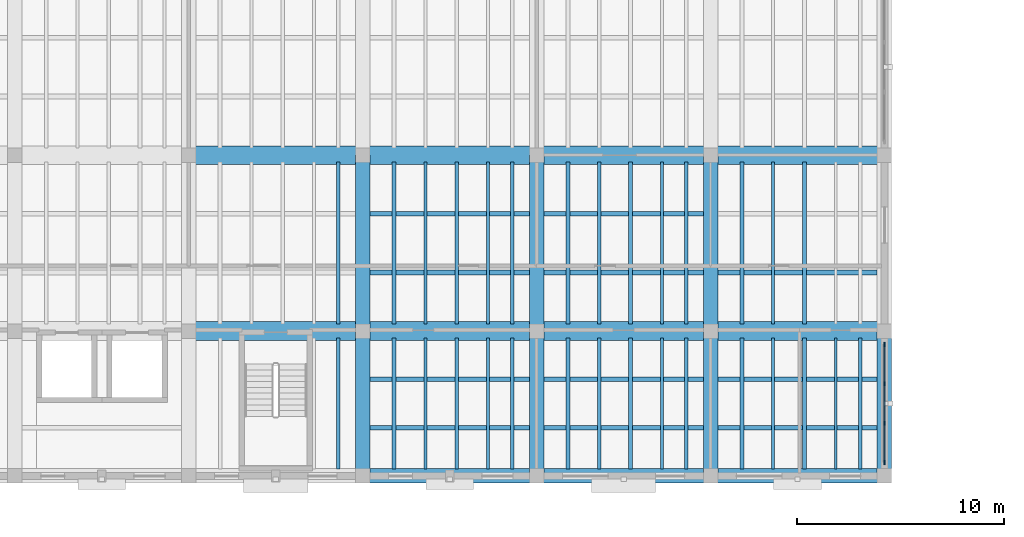
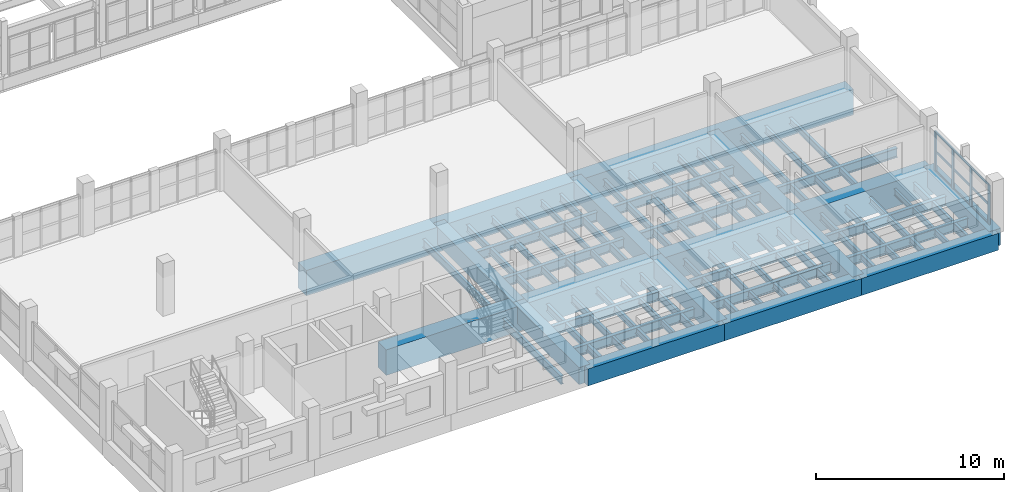
# One storey, part 39 of 77: 55 beams, 7 members, 1 element without a shape of its own.
"""IFC4 building model written with IfcOpenShell, lengths in metres."""

import ifcopenshell
import ifcopenshell.guid

model = None  # the IFC model being written
_history = None  # IfcOwnerHistory: only IFC2X3 demands one
_inside = {}  # id of a spatial element -> (the spatial element, [elements in it])
_under = {}  # id of a project, library or spatial element -> (it, [spatial elements below it])
_declared = {}  # id of a project -> (the project, [libraries it declares])
_typed = {}  # id of a type object -> (the type object, [elements of that type])
_made_of = {}  # id of a material, layer set ... -> (it, [elements and type objects made of it])


def new_model(schema):
    """Start an empty IFC model of exactly this schema.

    Asked for "IFC4X3", IfcOpenShell would pick the latest addendum, in which some entities
    have other attributes; the version numbers below select the first issue.
    IFC2X3 requires an IfcOwnerHistory on every rooted entity: one is made here for all.
    """
    global model, _history
    if schema == "IFC4X3":
        model = ifcopenshell.file(schema_version=(4, 3, 0, 0))
    else:
        model = ifcopenshell.file(schema=schema)
    _inside.clear()
    _under.clear()
    _declared.clear()
    _typed.clear()
    _made_of.clear()
    _history = None
    if model.schema == "IFC2X3":
        org = make("IfcOrganization", Name="unknown")
        user = make(
            "IfcPersonAndOrganization",
            ThePerson=make("IfcPerson", FamilyName="unknown"),
            TheOrganization=org,
        )
        app = make(
            "IfcApplication",
            ApplicationDeveloper=org,
            Version="unknown",
            ApplicationFullName="unknown",
            ApplicationIdentifier="unknown",
        )
        _history = make(
            "IfcOwnerHistory",
            OwningUser=user,
            OwningApplication=app,
            ChangeAction="ADDED",
            CreationDate=0,
        )
    return model


def make(cls, **values):
    """One entity of the class cls with the attributes given. An attribute that is None is left unset."""
    return model.create_entity(
        cls, **{name: value for name, value in values.items() if value is not None}
    )


def rooted(cls, **values):
    """An entity with a GlobalId (a new one), such as an element, a storey or a relation."""
    return make(cls, GlobalId=ifcopenshell.guid.new(), OwnerHistory=_history, **values)


def si_unit(unit_type, name, prefix=None):
    """IfcSIUnit, for example si_unit("LENGTHUNIT", "METRE", prefix="MILLI")."""
    return make("IfcSIUnit", UnitType=unit_type, Prefix=prefix, Name=name)


def assignment(units):
    """IfcUnitAssignment: the units of a project."""
    return None if units is None else make("IfcUnitAssignment", Units=units)


def point(xyz):
    """IfcCartesianPoint."""
    return None if xyz is None else make("IfcCartesianPoint", Coordinates=xyz)


def direction(xyz):
    """IfcDirection."""
    return None if xyz is None else make("IfcDirection", DirectionRatios=xyz)


def frame(location, z_axis=None, x_axis=None):
    """IfcAxis2Placement3D, a coordinate frame: its origin and axes. An axis left out is left unset."""
    return make(
        "IfcAxis2Placement3D",
        Location=point(location),
        Axis=direction(z_axis),
        RefDirection=direction(x_axis),
    )


def frame_2d(location, x_axis=None):
    """IfcAxis2Placement2D, a coordinate frame in the plane: its origin and x axis."""
    return make(
        "IfcAxis2Placement2D", Location=point(location), RefDirection=direction(x_axis)
    )


def origin():
    """The frame at (0, 0, 0) with its axes left unset."""
    return frame((0.0, 0.0, 0.0))


def origin_2d():
    """The frame at (0, 0) in the plane with its x axis left unset."""
    return frame_2d((0.0, 0.0))


def place(relative_to, where):
    """IfcLocalPlacement: puts the frame where relative to a parent placement (None: the world)."""
    return make(
        "IfcLocalPlacement", PlacementRelTo=relative_to, RelativePlacement=where
    )


def context(
    kind, dimensions, precision=None, world=None, true_north=None, identifier=None
):
    """IfcGeometricRepresentationContext, for example the 3D "Model" context."""
    return make(
        "IfcGeometricRepresentationContext",
        ContextIdentifier=identifier,
        ContextType=kind,
        CoordinateSpaceDimension=dimensions,
        Precision=precision,
        WorldCoordinateSystem=world,
        TrueNorth=true_north,
    )


def subcontext(parent, identifier, kind, view, scale=None):
    """IfcGeometricRepresentationSubContext, for example "Body" below "Model"."""
    return make(
        "IfcGeometricRepresentationSubContext",
        ContextIdentifier=identifier,
        ContextType=kind,
        ParentContext=parent,
        TargetScale=scale,
        TargetView=view,
    )


def project(units=None, contexts=None):
    """IfcProject with its units and contexts."""
    return rooted(
        "IfcProject",
        Name="project",
        RepresentationContexts=contexts,
        UnitsInContext=assignment(units),
    )


def spatial(cls, under=None, at=None, **own):
    """A site, building, storey or space (cls), placed at a placement, below another one or the project."""
    s = rooted(cls, ObjectPlacement=at, **own)
    if under is not None:
        _under.setdefault(under.id(), (under, []))[1].append(s)
    return s


def profile(cls, at=None, kind="AREA", **sizes):
    """A parametric profile (cls). Its sizes go by their IFC names, for example OverallWidth=200.0."""
    return make(cls, ProfileType=kind, Position=at, **sizes)


def rectangle(**sizes):
    """IfcRectangleProfileDef."""
    return profile("IfcRectangleProfileDef", **sizes)


def i_section(**sizes):
    """IfcIShapeProfileDef."""
    return profile("IfcIShapeProfileDef", **sizes)


def extrude(swept, where, along, depth):
    """IfcExtrudedAreaSolid: the profile swept, set in the frame where, extruded along a direction by depth."""
    return make(
        "IfcExtrudedAreaSolid",
        SweptArea=swept,
        Position=where,
        ExtrudedDirection=direction(along),
        Depth=depth,
    )


def shape(context_of_items, identifier, shape_type, items):
    """IfcShapeRepresentation: the items that make up one representation, for example the "Body"."""
    return make(
        "IfcShapeRepresentation",
        ContextOfItems=context_of_items,
        RepresentationIdentifier=identifier,
        RepresentationType=shape_type,
        Items=items,
    )


def material(Name=None, Category=None):
    """IfcMaterial."""
    return make("IfcMaterial", Name=Name, Category=Category)


def layer(
    of_material, thickness, ventilated=None, Name=None, Category=None, Priority=None
):
    """IfcMaterialLayer: one layer of a wall or slab, of a material (None: an air gap)."""
    return make(
        "IfcMaterialLayer",
        Material=of_material,
        LayerThickness=thickness,
        IsVentilated=ventilated,
        Name=Name,
        Category=Category,
        Priority=Priority,
    )


def layer_set(layers, Name=None):
    """IfcMaterialLayerSet."""
    return make("IfcMaterialLayerSet", MaterialLayers=layers, LayerSetName=Name)


def material_profile(
    of_material, cross_section, Name=None, Category=None, Priority=None
):
    """IfcMaterialProfile: a cross section and its material."""
    return make(
        "IfcMaterialProfile",
        Name=Name,
        Material=of_material,
        Profile=cross_section,
        Priority=Priority,
        Category=Category,
    )


def profile_set(profiles, Name=None, composite=None):
    """IfcMaterialProfileSet."""
    return make(
        "IfcMaterialProfileSet",
        Name=Name,
        MaterialProfiles=profiles,
        CompositeProfile=composite,
    )


def made_of(thing, what):
    """Note that an element or type object is made of a material, layer set ...; save() writes the relation."""
    if what is not None:
        _made_of.setdefault(what.id(), (what, []))[1].append(thing)
    return thing


def type_object(cls, material=None, **own):
    """A type object (cls), such as IfcWallType, which elements share."""
    return made_of(rooted(cls, **own), material)


def element(
    cls,
    number,
    at=None,
    inside=None,
    cuts=None,
    type_object=None,
    material=None,
    context=None,
    identifier="Body",
    shape_type=None,
    held_by="IfcProductDefinitionShape",
    body=None,
    shapes=None,
    **own,
):
    """One element of the class cls, such as IfcWall. Its Tag is "e" and its number.

    at: its placement. inside: the storey or other place that contains it. cuts: it is an
    opening in that element (IfcRelVoidsElement). A single representation is given by context,
    identifier, shape_type and body (its items); several are given by shapes. held_by: the class
    of the entity that holds the representations. save() writes the other relations.
    """
    e = rooted(cls, Tag="e%d" % number, ObjectPlacement=at, **own)
    if body is not None:
        shapes = [shape(context, identifier, shape_type, body)]
    if shapes is not None:
        e.Representation = make(held_by, Representations=shapes)
    if inside is not None:
        _inside.setdefault(inside.id(), (inside, []))[1].append(e)
    if cuts is not None:
        rooted(
            "IfcRelVoidsElement", RelatingBuildingElement=cuts, RelatedOpeningElement=e
        )
    if type_object is not None:
        _typed.setdefault(type_object.id(), (type_object, []))[1].append(e)
    return made_of(e, material)


def aggregate(whole, parts):
    """IfcRelAggregates: a whole, such as a stair, and the parts it consists of."""
    return rooted("IfcRelAggregates", RelatingObject=whole, RelatedObjects=parts)


def save(model, path):
    """Write the relations noted so far, then the file.

    IfcRelAggregates (storeys below a building ...), IfcRelContainedInSpatialStructure (elements
    in a storey), IfcRelDefinesByType, IfcRelAssociatesMaterial and IfcRelDeclares: one each for
    every whole, place, type object, material and project.
    """
    for whole, parts in _under.values():
        aggregate(whole, parts)
    for where, things in _inside.values():
        rooted(
            "IfcRelContainedInSpatialStructure",
            RelatedElements=things,
            RelatingStructure=where,
        )
    for kind, things in _typed.values():
        rooted("IfcRelDefinesByType", RelatedObjects=things, RelatingType=kind)
    for what, things in _made_of.values():
        rooted("IfcRelAssociatesMaterial", RelatedObjects=things, RelatingMaterial=what)
    for by, libraries in _declared.values():
        rooted("IfcRelDeclares", RelatingContext=by, RelatedDefinitions=libraries)
    model.write(path)


model = new_model("IFC4")

# Units and contexts
model_context = context("Model", 3, precision=1e-05, world=origin(), true_north=direction((0.0, 1.0)))
body_context = subcontext(model_context, "Body", "Model", "MODEL_VIEW")
ifc_project = project(units=[si_unit("LENGTHUNIT", "METRE"), si_unit("AREAUNIT", "SQUARE_METRE"), si_unit("VOLUMEUNIT", "CUBIC_METRE"), si_unit("PLANEANGLEUNIT", "RADIAN"), si_unit("MASSUNIT", "GRAM", prefix="KILO")], contexts=[model_context])

# Site, building, storey
site_placement = place(None, origin())
site = spatial("IfcSite", under=ifc_project, at=site_placement, CompositionType="ELEMENT")
building_placement = place(site_placement, origin())
building = spatial("IfcBuilding", under=site, at=building_placement, Name="Trellovar Central Fire Station", CompositionType="ELEMENT")
storey_placement = place(building_placement, frame((0.0, 0.0, 5.85009765625)))
storey = spatial("IfcBuildingStorey", under=building, at=storey_placement, Name="L02", CompositionType="ELEMENT", Elevation=5.85009765625)

# Beams
ifc_material_1 = material(Name="Concrete C40/50", Category="concrete")
ifc_material_profile_1 = material_profile(ifc_material_1, rectangle(XDim=0.699951171875, YDim=1.10009765625, at=origin_2d()), Name="RC700X1100")
ifc_profile_set_1 = profile_set([ifc_material_profile_1], Name="Concrete C40/50")
beam_type_1 = type_object("IfcBeamType", Name="BM-RG1", PredefinedType="BEAM", material=ifc_profile_set_1)
beam_1_placement = place(storey_placement, frame((130.699951171875, 9.0, -0.550048828125), z_axis=(1.0, 0.0, 0.0), x_axis=(0.0, 1.0, 0.0)))
element("IfcBeam", 1, at=beam_1_placement, inside=storey, type_object=beam_type_1, Name="L02 boulevard edge girder", PredefinedType="BEAM", context=body_context, shape_type="SweptSolid", body=[
    extrude(rectangle(XDim=0.699951171875, YDim=1.10009765625, at=origin_2d()), origin(), (0.0, 0.0, 1.0), 8.400146484375),
])
for number, where, z_axis, x_axis, name in (
    (2, (139.10009765625, 9.0, -0.550048828125), (1.0, 0.0, 0.0), (0.0, 1.0, 0.0), "L02 boulevard edge girder"),
    (3, (147.5, 9.0, -0.550048828125), (1.0, 0.0, 0.0), (0.0, 1.0, 0.0), "L02 boulevard edge girder"),
):
    element("IfcBeam", number, at=place(storey_placement, frame(where, z_axis=z_axis, x_axis=x_axis)), inside=storey, type_object=beam_type_1, Name=name, PredefinedType="BEAM", context=body_context, shape_type="SweptSolid", body=[
        extrude(rectangle(XDim=0.699951171875, YDim=1.10009765625, at=origin_2d()), origin(), (0.0, 0.0, 1.0), 8.39990234375),
    ])
beam_2_placement = place(storey_placement, frame((130.699951171875, 9.0, -0.550048828125), z_axis=(0.0, 1.0, 0.0), x_axis=(-1.0, 0.0, 0.0)))
element("IfcBeam", 4, at=beam_2_placement, inside=storey, type_object=beam_type_1, Name="L02 transverse transfer tie girder", PredefinedType="BEAM", context=body_context, shape_type="SweptSolid", body=[
    extrude(rectangle(XDim=0.699951171875, YDim=1.10009765625, at=origin_2d()), origin(), (0.0, 0.0, 1.0), 7.0),
])
beam_3_placement = place(storey_placement, frame((130.699951171875, 16.0, -0.550048828125), z_axis=(0.0, 1.0, 0.0), x_axis=(-1.0, 0.0, 0.0)))
element("IfcBeam", 5, at=beam_3_placement, inside=storey, type_object=beam_type_1, Name="L02 transverse transfer tie girder", PredefinedType="BEAM", context=body_context, shape_type="SweptSolid", body=[
    extrude(rectangle(XDim=0.699951171875, YDim=1.10009765625, at=origin_2d()), origin(), (0.0, 0.0, 1.0), 8.5),
])
beam_4_placement = place(storey_placement, frame((139.10009765625, 9.0, -0.550048828125), z_axis=(0.0, 1.0, 0.0), x_axis=(-1.0, 0.0, 0.0)))
element("IfcBeam", 6, at=beam_4_placement, inside=storey, type_object=beam_type_1, Name="L02 transverse transfer tie girder", PredefinedType="BEAM", context=body_context, shape_type="SweptSolid", body=[
    extrude(rectangle(XDim=0.699951171875, YDim=1.10009765625, at=origin_2d()), origin(), (0.0, 0.0, 1.0), 7.0),
])
beam_5_placement = place(storey_placement, frame((139.10009765625, 16.0, -0.550048828125), z_axis=(0.0, 1.0, 0.0), x_axis=(-1.0, 0.0, 0.0)))
element("IfcBeam", 7, at=beam_5_placement, inside=storey, type_object=beam_type_1, Name="L02 transverse transfer tie girder", PredefinedType="BEAM", context=body_context, shape_type="SweptSolid", body=[
    extrude(rectangle(XDim=0.699951171875, YDim=1.10009765625, at=origin_2d()), origin(), (0.0, 0.0, 1.0), 8.5),
])
beam_6_placement = place(storey_placement, frame((147.5, 9.0, -0.550048828125), z_axis=(0.0, 1.0, 0.0), x_axis=(-1.0, 0.0, 0.0)))
element("IfcBeam", 8, at=beam_6_placement, inside=storey, type_object=beam_type_1, Name="L02 transverse transfer tie girder", PredefinedType="BEAM", context=body_context, shape_type="SweptSolid", body=[
    extrude(rectangle(XDim=0.699951171875, YDim=1.10009765625, at=origin_2d()), origin(), (0.0, 0.0, 1.0), 7.0),
])
beam_7_placement = place(storey_placement, frame((147.5, 16.0, -0.550048828125), z_axis=(0.0, 1.0, 0.0), x_axis=(-1.0, 0.0, 0.0)))
element("IfcBeam", 9, at=beam_7_placement, inside=storey, type_object=beam_type_1, Name="L02 transverse transfer tie girder", PredefinedType="BEAM", context=body_context, shape_type="SweptSolid", body=[
    extrude(rectangle(XDim=0.699951171875, YDim=1.10009765625, at=origin_2d()), origin(), (0.0, 0.0, 1.0), 8.5),
])
beam_8_placement = place(storey_placement, frame((155.89990234375, 9.0, -0.550048828125), z_axis=(0.0, 1.0, 0.0), x_axis=(-1.0, 0.0, 0.0)))
element("IfcBeam", 10, at=beam_8_placement, inside=storey, type_object=beam_type_1, Name="L02 transverse transfer tie girder", PredefinedType="BEAM", context=body_context, shape_type="SweptSolid", body=[
    extrude(rectangle(XDim=0.699951171875, YDim=1.10009765625, at=origin_2d()), origin(), (0.0, 0.0, 1.0), 7.0),
])
ifc_material_2 = material(Name="Steel ASTM A992 Grade 50", Category="steel")
ifc_material_profile_2 = material_profile(ifc_material_2, i_section(OverallWidth=0.15283203125, OverallDepth=0.45458984375, WebThickness=0.008056640625, FlangeThickness=0.01318359375, FilletRadius=0.0126953125, at=origin_2d()), Name="W18X40")
ifc_profile_set_2 = profile_set([ifc_material_profile_2], Name="Steel ASTM A992 Grade 50")
beam_type_2 = type_object("IfcBeamType", Name="BM-SW10", PredefinedType="JOIST", material=ifc_profile_set_2)
beam_9_placement = place(storey_placement, frame((133.72412109375, 9.340087890625, -0.677490234375), z_axis=(0.0, 1.0, 0.0), x_axis=(-1.0, 0.0, 0.0)))
element("IfcBeam", 11, at=beam_9_placement, inside=storey, type_object=beam_type_2, Name="L02 secondary steel deck joist", PredefinedType="JOIST", context=body_context, shape_type="SweptSolid", body=[
    extrude(i_section(OverallWidth=0.15283203125, OverallDepth=0.45458984375, WebThickness=0.008056640625, FlangeThickness=0.01318359375, FilletRadius=0.0126953125, at=origin_2d()), origin(), (0.0, 0.0, 1.0), 6.31982421875),
])
beam_10_placement = place(storey_placement, frame((133.72412109375, 16.340087890625, -0.677490234375), z_axis=(0.0, 1.0, 0.0), x_axis=(-1.0, 0.0, 0.0)))
element("IfcBeam", 12, at=beam_10_placement, inside=storey, type_object=beam_type_2, Name="L02 secondary steel deck joist", PredefinedType="JOIST", context=body_context, shape_type="SweptSolid", body=[
    extrude(i_section(OverallWidth=0.15283203125, OverallDepth=0.45458984375, WebThickness=0.008056640625, FlangeThickness=0.01318359375, FilletRadius=0.0126953125, at=origin_2d()), origin(), (0.0, 0.0, 1.0), 7.81982421875),
])
beam_11_placement = place(storey_placement, frame((142.1240234375, 9.340087890625, -0.677490234375), z_axis=(0.0, 1.0, 0.0), x_axis=(-1.0, 0.0, 0.0)))
element("IfcBeam", 13, at=beam_11_placement, inside=storey, type_object=beam_type_2, Name="L02 secondary steel deck joist", PredefinedType="JOIST", context=body_context, shape_type="SweptSolid", body=[
    extrude(i_section(OverallWidth=0.15283203125, OverallDepth=0.45458984375, WebThickness=0.008056640625, FlangeThickness=0.01318359375, FilletRadius=0.0126953125, at=origin_2d()), origin(), (0.0, 0.0, 1.0), 6.31982421875),
])
beam_12_placement = place(storey_placement, frame((142.1240234375, 16.340087890625, -0.677490234375), z_axis=(0.0, 1.0, 0.0), x_axis=(-1.0, 0.0, 0.0)))
element("IfcBeam", 14, at=beam_12_placement, inside=storey, type_object=beam_type_2, Name="L02 secondary steel deck joist", PredefinedType="JOIST", context=body_context, shape_type="SweptSolid", body=[
    extrude(i_section(OverallWidth=0.15283203125, OverallDepth=0.45458984375, WebThickness=0.008056640625, FlangeThickness=0.01318359375, FilletRadius=0.0126953125, at=origin_2d()), origin(), (0.0, 0.0, 1.0), 7.81982421875),
])
beam_13_placement = place(storey_placement, frame((150.52392578125, 9.340087890625, -0.677490234375), z_axis=(0.0, 1.0, 0.0), x_axis=(-1.0, 0.0, 0.0)))
element("IfcBeam", 15, at=beam_13_placement, inside=storey, type_object=beam_type_2, Name="L02 secondary steel deck joist", PredefinedType="JOIST", context=body_context, shape_type="SweptSolid", body=[
    extrude(i_section(OverallWidth=0.15283203125, OverallDepth=0.45458984375, WebThickness=0.008056640625, FlangeThickness=0.01318359375, FilletRadius=0.0126953125, at=origin_2d()), origin(), (0.0, 0.0, 1.0), 6.31982421875),
])
beam_14_placement = place(storey_placement, frame((150.52392578125, 16.340087890625, -0.677490234375), z_axis=(0.0, 1.0, 0.0), x_axis=(-1.0, 0.0, 0.0)))
element("IfcBeam", 16, at=beam_14_placement, inside=storey, type_object=beam_type_2, Name="L02 secondary steel deck joist", PredefinedType="JOIST", context=body_context, shape_type="SweptSolid", body=[
    extrude(i_section(OverallWidth=0.15283203125, OverallDepth=0.45458984375, WebThickness=0.008056640625, FlangeThickness=0.01318359375, FilletRadius=0.0126953125, at=origin_2d()), origin(), (0.0, 0.0, 1.0), 7.81982421875),
])
ifc_material_3 = material(Name="Steel ASTM A992 Grade 50", Category="steel")
ifc_material_profile_3 = material_profile(ifc_material_3, i_section(OverallWidth=0.177490234375, OverallDepth=0.40380859375, WebThickness=0.007568359375, FlangeThickness=0.010986328125, FilletRadius=0.011474609375, at=origin_2d()), Name="W16X36")
ifc_profile_set_3 = profile_set([ifc_material_profile_3], Name="Steel ASTM A992 Grade 50")
beam_type_3 = type_object("IfcBeamType", Name="BM-SW11", PredefinedType="JOIST", material=ifc_profile_set_3)
beam_15_placement = place(storey_placement, frame((135.236083984375, 9.340087890625, -0.652099609375), z_axis=(0.0, 1.0, 0.0), x_axis=(-1.0, 0.0, 0.0)))
element("IfcBeam", 17, at=beam_15_placement, inside=storey, type_object=beam_type_3, Name="L02 secondary steel deck joist", PredefinedType="JOIST", context=body_context, shape_type="SweptSolid", body=[
    extrude(i_section(OverallWidth=0.177490234375, OverallDepth=0.40380859375, WebThickness=0.007568359375, FlangeThickness=0.010986328125, FilletRadius=0.011474609375, at=origin_2d()), origin(), (0.0, 0.0, 1.0), 6.31982421875),
])
beam_16_placement = place(storey_placement, frame((135.236083984375, 16.340087890625, -0.652099609375), z_axis=(0.0, 1.0, 0.0), x_axis=(-1.0, 0.0, 0.0)))
element("IfcBeam", 18, at=beam_16_placement, inside=storey, type_object=beam_type_3, Name="L02 secondary steel deck joist", PredefinedType="JOIST", context=body_context, shape_type="SweptSolid", body=[
    extrude(i_section(OverallWidth=0.177490234375, OverallDepth=0.40380859375, WebThickness=0.007568359375, FlangeThickness=0.010986328125, FilletRadius=0.011474609375, at=origin_2d()), origin(), (0.0, 0.0, 1.0), 7.81982421875),
])
beam_17_placement = place(storey_placement, frame((143.635986328125, 9.340087890625, -0.652099609375), z_axis=(0.0, 1.0, 0.0), x_axis=(-1.0, 0.0, 0.0)))
element("IfcBeam", 19, at=beam_17_placement, inside=storey, type_object=beam_type_3, Name="L02 secondary steel deck joist", PredefinedType="JOIST", context=body_context, shape_type="SweptSolid", body=[
    extrude(i_section(OverallWidth=0.177490234375, OverallDepth=0.40380859375, WebThickness=0.007568359375, FlangeThickness=0.010986328125, FilletRadius=0.011474609375, at=origin_2d()), origin(), (0.0, 0.0, 1.0), 6.31982421875),
])
beam_18_placement = place(storey_placement, frame((143.635986328125, 16.340087890625, -0.652099609375), z_axis=(0.0, 1.0, 0.0), x_axis=(-1.0, 0.0, 0.0)))
element("IfcBeam", 20, at=beam_18_placement, inside=storey, type_object=beam_type_3, Name="L02 secondary steel deck joist", PredefinedType="JOIST", context=body_context, shape_type="SweptSolid", body=[
    extrude(i_section(OverallWidth=0.177490234375, OverallDepth=0.40380859375, WebThickness=0.007568359375, FlangeThickness=0.010986328125, FilletRadius=0.011474609375, at=origin_2d()), origin(), (0.0, 0.0, 1.0), 7.81982421875),
])
beam_19_placement = place(storey_placement, frame((152.035888671875, 9.340087890625, -0.652099609375), z_axis=(0.0, 1.0, 0.0), x_axis=(-1.0, 0.0, 0.0)))
element("IfcBeam", 21, at=beam_19_placement, inside=storey, type_object=beam_type_3, Name="L02 secondary steel deck joist", PredefinedType="JOIST", context=body_context, shape_type="SweptSolid", body=[
    extrude(i_section(OverallWidth=0.177490234375, OverallDepth=0.40380859375, WebThickness=0.007568359375, FlangeThickness=0.010986328125, FilletRadius=0.011474609375, at=origin_2d()), origin(), (0.0, 0.0, 1.0), 6.31982421875),
])
beam_20_placement = place(storey_placement, frame((152.035888671875, 16.340087890625, -0.652099609375), z_axis=(0.0, 1.0, 0.0), x_axis=(-1.0, 0.0, 0.0)))
element("IfcBeam", 22, at=beam_20_placement, inside=storey, type_object=beam_type_3, Name="L02 secondary steel deck joist", PredefinedType="JOIST", context=body_context, shape_type="SweptSolid", body=[
    extrude(i_section(OverallWidth=0.177490234375, OverallDepth=0.40380859375, WebThickness=0.007568359375, FlangeThickness=0.010986328125, FilletRadius=0.011474609375, at=origin_2d()), origin(), (0.0, 0.0, 1.0), 7.81982421875),
])
ifc_material_4 = material(Name="Steel ASTM A992 Grade 50", Category="steel")
ifc_material_profile_4 = material_profile(ifc_material_4, i_section(OverallWidth=0.140380859375, OverallDepth=0.4033203125, WebThickness=0.007080078125, FlangeThickness=0.01123046875, FilletRadius=0.011474609375, at=origin_2d()), Name="W16X31")
ifc_profile_set_4 = profile_set([ifc_material_profile_4], Name="Steel ASTM A992 Grade 50")
beam_type_4 = type_object("IfcBeamType", Name="BM-SW12", PredefinedType="JOIST", material=ifc_profile_set_4)
beam_21_placement = place(storey_placement, frame((136.748046875, 9.340087890625, -0.65185546875), z_axis=(0.0, 1.0, 0.0), x_axis=(-1.0, 0.0, 0.0)))
element("IfcBeam", 23, at=beam_21_placement, inside=storey, type_object=beam_type_4, Name="L02 secondary steel deck joist", PredefinedType="JOIST", context=body_context, shape_type="SweptSolid", body=[
    extrude(i_section(OverallWidth=0.140380859375, OverallDepth=0.4033203125, WebThickness=0.007080078125, FlangeThickness=0.01123046875, FilletRadius=0.011474609375, at=origin_2d()), origin(), (0.0, 0.0, 1.0), 6.31982421875),
])
beam_22_placement = place(storey_placement, frame((136.748046875, 16.340087890625, -0.65185546875), z_axis=(0.0, 1.0, 0.0), x_axis=(-1.0, 0.0, 0.0)))
element("IfcBeam", 24, at=beam_22_placement, inside=storey, type_object=beam_type_4, Name="L02 secondary steel deck joist", PredefinedType="JOIST", context=body_context, shape_type="SweptSolid", body=[
    extrude(i_section(OverallWidth=0.140380859375, OverallDepth=0.4033203125, WebThickness=0.007080078125, FlangeThickness=0.01123046875, FilletRadius=0.011474609375, at=origin_2d()), origin(), (0.0, 0.0, 1.0), 7.81982421875),
])
beam_23_placement = place(storey_placement, frame((145.14794921875, 9.340087890625, -0.65185546875), z_axis=(0.0, 1.0, 0.0), x_axis=(-1.0, 0.0, 0.0)))
element("IfcBeam", 25, at=beam_23_placement, inside=storey, type_object=beam_type_4, Name="L02 secondary steel deck joist", PredefinedType="JOIST", context=body_context, shape_type="SweptSolid", body=[
    extrude(i_section(OverallWidth=0.140380859375, OverallDepth=0.4033203125, WebThickness=0.007080078125, FlangeThickness=0.01123046875, FilletRadius=0.011474609375, at=origin_2d()), origin(), (0.0, 0.0, 1.0), 6.31982421875),
])
beam_24_placement = place(storey_placement, frame((145.14794921875, 16.340087890625, -0.65185546875), z_axis=(0.0, 1.0, 0.0), x_axis=(-1.0, 0.0, 0.0)))
element("IfcBeam", 26, at=beam_24_placement, inside=storey, type_object=beam_type_4, Name="L02 secondary steel deck joist", PredefinedType="JOIST", context=body_context, shape_type="SweptSolid", body=[
    extrude(i_section(OverallWidth=0.140380859375, OverallDepth=0.4033203125, WebThickness=0.007080078125, FlangeThickness=0.01123046875, FilletRadius=0.011474609375, at=origin_2d()), origin(), (0.0, 0.0, 1.0), 7.81982421875),
])
beam_25_placement = place(storey_placement, frame((153.548095703125, 9.340087890625, -0.65185546875), z_axis=(0.0, 1.0, 0.0), x_axis=(-1.0, 0.0, 0.0)))
element("IfcBeam", 27, at=beam_25_placement, inside=storey, type_object=beam_type_4, Name="L02 secondary steel deck joist", PredefinedType="JOIST", context=body_context, shape_type="SweptSolid", body=[
    extrude(i_section(OverallWidth=0.140380859375, OverallDepth=0.4033203125, WebThickness=0.007080078125, FlangeThickness=0.01123046875, FilletRadius=0.011474609375, at=origin_2d()), origin(), (0.0, 0.0, 1.0), 6.31982421875),
])
ifc_material_5 = material(Name="Steel ASTM A992 Grade 50", Category="steel")
ifc_material_profile_5 = material_profile(ifc_material_5, i_section(OverallWidth=0.227783203125, OverallDepth=0.60205078125, WebThickness=0.010498046875, FlangeThickness=0.014892578125, FilletRadius=0.01513671875, at=origin_2d()), Name="W24X68")
ifc_profile_set_5 = profile_set([ifc_material_profile_5], Name="Steel ASTM A992 Grade 50")
beam_type_5 = type_object("IfcBeamType", Name="BM-SW6", PredefinedType="BEAM", material=ifc_profile_set_5)
for number, where, z_axis, x_axis, name in (
    (28, (131.050048828125, 11.333251953125, -0.7509765625), (1.0, 0.0, 0.0), (0.0, 1.0, 0.0), "L02 transfer deck secondary steel beam"),
    (29, (131.050048828125, 13.666748046875, -0.7509765625), (1.0, 0.0, 0.0), (0.0, 1.0, 0.0), "L02 transfer deck secondary steel beam"),
    (30, (131.050048828125, 18.833251953125, -0.7509765625), (1.0, 0.0, 0.0), (0.0, 1.0, 0.0), "L02 transfer deck secondary steel beam"),
    (31, (131.050048828125, 21.666748046875, -0.7509765625), (1.0, 0.0, 0.0), (0.0, 1.0, 0.0), "L02 transfer deck secondary steel beam"),
    (32, (139.449951171875, 11.333251953125, -0.7509765625), (1.0, 0.0, 0.0), (0.0, 1.0, 0.0), "L02 transfer deck secondary steel beam"),
    (33, (139.449951171875, 13.666748046875, -0.7509765625), (1.0, 0.0, 0.0), (0.0, 1.0, 0.0), "L02 transfer deck secondary steel beam"),
    (34, (139.449951171875, 18.833251953125, -0.7509765625), (1.0, 0.0, 0.0), (0.0, 1.0, 0.0), "L02 transfer deck secondary steel beam"),
    (35, (139.449951171875, 21.666748046875, -0.7509765625), (1.0, 0.0, 0.0), (0.0, 1.0, 0.0), "L02 transfer deck secondary steel beam"),
    (36, (147.85009765625, 11.333251953125, -0.7509765625), (1.0, 0.0, 0.0), (0.0, 1.0, 0.0), "L02 transfer deck secondary steel beam"),
    (37, (147.85009765625, 13.666748046875, -0.7509765625), (1.0, 0.0, 0.0), (0.0, 1.0, 0.0), "L02 transfer deck secondary steel beam"),
    (38, (147.85009765625, 18.833251953125, -0.7509765625), (1.0, 0.0, 0.0), (0.0, 1.0, 0.0), "L02 transfer deck secondary steel beam"),
):
    element("IfcBeam", number, at=place(storey_placement, frame(where, z_axis=z_axis, x_axis=x_axis)), inside=storey, type_object=beam_type_5, Name=name, PredefinedType="BEAM", context=body_context, shape_type="SweptSolid", body=[
        extrude(i_section(OverallWidth=0.227783203125, OverallDepth=0.60205078125, WebThickness=0.010498046875, FlangeThickness=0.014892578125, FilletRadius=0.01513671875, at=origin_2d()), origin(), (0.0, 0.0, 1.0), 7.699951171875),
    ])
ifc_material_6 = material(Name="Steel ASTM A992 Grade 50", Category="steel")
ifc_material_profile_6 = material_profile(ifc_material_6, i_section(OverallWidth=0.166015625, OverallDepth=0.529052734375, WebThickness=0.009765625, FlangeThickness=0.013671875, FilletRadius=0.013916015625, at=origin_2d()), Name="W21X50")
ifc_profile_set_6 = profile_set([ifc_material_profile_6], Name="Steel ASTM A992 Grade 50")
beam_type_6 = type_object("IfcBeamType", Name="BM-SW8", PredefinedType="JOIST", material=ifc_profile_set_6)
beam_26_placement = place(storey_placement, frame((129.52392578125, 9.340087890625, -0.714599609375), z_axis=(0.0, 1.0, 0.0), x_axis=(-1.0, 0.0, 0.0)))
element("IfcBeam", 39, at=beam_26_placement, inside=storey, type_object=beam_type_6, Name="L02 secondary steel deck joist", PredefinedType="JOIST", context=body_context, shape_type="SweptSolid", body=[
    extrude(i_section(OverallWidth=0.166015625, OverallDepth=0.529052734375, WebThickness=0.009765625, FlangeThickness=0.013671875, FilletRadius=0.013916015625, at=origin_2d()), origin(), (0.0, 0.0, 1.0), 6.31982421875),
])
beam_27_placement = place(storey_placement, frame((129.52392578125, 16.340087890625, -0.714599609375), z_axis=(0.0, 1.0, 0.0), x_axis=(-1.0, 0.0, 0.0)))
element("IfcBeam", 40, at=beam_27_placement, inside=storey, type_object=beam_type_6, Name="L02 secondary steel deck joist", PredefinedType="JOIST", context=body_context, shape_type="SweptSolid", body=[
    extrude(i_section(OverallWidth=0.166015625, OverallDepth=0.529052734375, WebThickness=0.009765625, FlangeThickness=0.013671875, FilletRadius=0.013916015625, at=origin_2d()), origin(), (0.0, 0.0, 1.0), 7.81982421875),
])
beam_28_placement = place(storey_placement, frame((137.924072265625, 9.340087890625, -0.714599609375), z_axis=(0.0, 1.0, 0.0), x_axis=(-1.0, 0.0, 0.0)))
element("IfcBeam", 41, at=beam_28_placement, inside=storey, type_object=beam_type_6, Name="L02 secondary steel deck joist", PredefinedType="JOIST", context=body_context, shape_type="SweptSolid", body=[
    extrude(i_section(OverallWidth=0.166015625, OverallDepth=0.529052734375, WebThickness=0.009765625, FlangeThickness=0.013671875, FilletRadius=0.013916015625, at=origin_2d()), origin(), (0.0, 0.0, 1.0), 6.31982421875),
])
beam_29_placement = place(storey_placement, frame((137.924072265625, 16.340087890625, -0.714599609375), z_axis=(0.0, 1.0, 0.0), x_axis=(-1.0, 0.0, 0.0)))
element("IfcBeam", 42, at=beam_29_placement, inside=storey, type_object=beam_type_6, Name="L02 secondary steel deck joist", PredefinedType="JOIST", context=body_context, shape_type="SweptSolid", body=[
    extrude(i_section(OverallWidth=0.166015625, OverallDepth=0.529052734375, WebThickness=0.009765625, FlangeThickness=0.013671875, FilletRadius=0.013916015625, at=origin_2d()), origin(), (0.0, 0.0, 1.0), 7.81982421875),
])
beam_30_placement = place(storey_placement, frame((146.323974609375, 9.340087890625, -0.714599609375), z_axis=(0.0, 1.0, 0.0), x_axis=(-1.0, 0.0, 0.0)))
element("IfcBeam", 43, at=beam_30_placement, inside=storey, type_object=beam_type_6, Name="L02 secondary steel deck joist", PredefinedType="JOIST", context=body_context, shape_type="SweptSolid", body=[
    extrude(i_section(OverallWidth=0.166015625, OverallDepth=0.529052734375, WebThickness=0.009765625, FlangeThickness=0.013671875, FilletRadius=0.013916015625, at=origin_2d()), origin(), (0.0, 0.0, 1.0), 6.31982421875),
])
beam_31_placement = place(storey_placement, frame((146.323974609375, 16.340087890625, -0.714599609375), z_axis=(0.0, 1.0, 0.0), x_axis=(-1.0, 0.0, 0.0)))
element("IfcBeam", 44, at=beam_31_placement, inside=storey, type_object=beam_type_6, Name="L02 secondary steel deck joist", PredefinedType="JOIST", context=body_context, shape_type="SweptSolid", body=[
    extrude(i_section(OverallWidth=0.166015625, OverallDepth=0.529052734375, WebThickness=0.009765625, FlangeThickness=0.013671875, FilletRadius=0.013916015625, at=origin_2d()), origin(), (0.0, 0.0, 1.0), 7.81982421875),
])
beam_32_placement = place(storey_placement, frame((154.72412109375, 9.340087890625, -0.714599609375), z_axis=(0.0, 1.0, 0.0), x_axis=(-1.0, 0.0, 0.0)))
element("IfcBeam", 45, at=beam_32_placement, inside=storey, type_object=beam_type_6, Name="L02 secondary steel deck joist", PredefinedType="JOIST", context=body_context, shape_type="SweptSolid", body=[
    extrude(i_section(OverallWidth=0.166015625, OverallDepth=0.529052734375, WebThickness=0.009765625, FlangeThickness=0.013671875, FilletRadius=0.013916015625, at=origin_2d()), origin(), (0.0, 0.0, 1.0), 6.31982421875),
])
ifc_material_7 = material(Name="Steel ASTM A992 Grade 50", Category="steel")
ifc_material_profile_7 = material_profile(ifc_material_7, i_section(OverallWidth=0.1904296875, OverallDepth=0.457275390625, WebThickness=0.009033203125, FlangeThickness=0.014404296875, FilletRadius=0.0126953125, at=origin_2d()), Name="W18X50")
ifc_profile_set_7 = profile_set([ifc_material_profile_7], Name="Steel ASTM A992 Grade 50")
beam_type_7 = type_object("IfcBeamType", Name="BM-SW9", PredefinedType="JOIST", material=ifc_profile_set_7)
beam_33_placement = place(storey_placement, frame((132.2119140625, 9.340087890625, -0.6787109375), z_axis=(0.0, 1.0, 0.0), x_axis=(-1.0, 0.0, 0.0)))
element("IfcBeam", 46, at=beam_33_placement, inside=storey, type_object=beam_type_7, Name="L02 secondary steel deck joist", PredefinedType="JOIST", context=body_context, shape_type="SweptSolid", body=[
    extrude(i_section(OverallWidth=0.1904296875, OverallDepth=0.457275390625, WebThickness=0.009033203125, FlangeThickness=0.014404296875, FilletRadius=0.0126953125, at=origin_2d()), origin(), (0.0, 0.0, 1.0), 6.31982421875),
])
beam_34_placement = place(storey_placement, frame((132.2119140625, 16.340087890625, -0.6787109375), z_axis=(0.0, 1.0, 0.0), x_axis=(-1.0, 0.0, 0.0)))
element("IfcBeam", 47, at=beam_34_placement, inside=storey, type_object=beam_type_7, Name="L02 secondary steel deck joist", PredefinedType="JOIST", context=body_context, shape_type="SweptSolid", body=[
    extrude(i_section(OverallWidth=0.1904296875, OverallDepth=0.457275390625, WebThickness=0.009033203125, FlangeThickness=0.014404296875, FilletRadius=0.0126953125, at=origin_2d()), origin(), (0.0, 0.0, 1.0), 7.81982421875),
])
beam_35_placement = place(storey_placement, frame((140.612060546875, 9.340087890625, -0.6787109375), z_axis=(0.0, 1.0, 0.0), x_axis=(-1.0, 0.0, 0.0)))
element("IfcBeam", 48, at=beam_35_placement, inside=storey, type_object=beam_type_7, Name="L02 secondary steel deck joist", PredefinedType="JOIST", context=body_context, shape_type="SweptSolid", body=[
    extrude(i_section(OverallWidth=0.1904296875, OverallDepth=0.457275390625, WebThickness=0.009033203125, FlangeThickness=0.014404296875, FilletRadius=0.0126953125, at=origin_2d()), origin(), (0.0, 0.0, 1.0), 6.31982421875),
])
beam_36_placement = place(storey_placement, frame((140.612060546875, 16.340087890625, -0.6787109375), z_axis=(0.0, 1.0, 0.0), x_axis=(-1.0, 0.0, 0.0)))
element("IfcBeam", 49, at=beam_36_placement, inside=storey, type_object=beam_type_7, Name="L02 secondary steel deck joist", PredefinedType="JOIST", context=body_context, shape_type="SweptSolid", body=[
    extrude(i_section(OverallWidth=0.1904296875, OverallDepth=0.457275390625, WebThickness=0.009033203125, FlangeThickness=0.014404296875, FilletRadius=0.0126953125, at=origin_2d()), origin(), (0.0, 0.0, 1.0), 7.81982421875),
])
beam_37_placement = place(storey_placement, frame((149.011962890625, 9.340087890625, -0.6787109375), z_axis=(0.0, 1.0, 0.0), x_axis=(-1.0, 0.0, 0.0)))
element("IfcBeam", 50, at=beam_37_placement, inside=storey, type_object=beam_type_7, Name="L02 secondary steel deck joist", PredefinedType="JOIST", context=body_context, shape_type="SweptSolid", body=[
    extrude(i_section(OverallWidth=0.1904296875, OverallDepth=0.457275390625, WebThickness=0.009033203125, FlangeThickness=0.014404296875, FilletRadius=0.0126953125, at=origin_2d()), origin(), (0.0, 0.0, 1.0), 6.31982421875),
])
beam_38_placement = place(storey_placement, frame((149.011962890625, 16.340087890625, -0.6787109375), z_axis=(0.0, 1.0, 0.0), x_axis=(-1.0, 0.0, 0.0)))
element("IfcBeam", 51, at=beam_38_placement, inside=storey, type_object=beam_type_7, Name="L02 secondary steel deck joist", PredefinedType="JOIST", context=body_context, shape_type="SweptSolid", body=[
    extrude(i_section(OverallWidth=0.1904296875, OverallDepth=0.457275390625, WebThickness=0.009033203125, FlangeThickness=0.014404296875, FilletRadius=0.0126953125, at=origin_2d()), origin(), (0.0, 0.0, 1.0), 7.81982421875),
])
ifc_material_8 = material(Name="Concrete C45/55", Category="concrete")
ifc_material_profile_8 = material_profile(ifc_material_8, rectangle(XDim=0.89990234375, YDim=1.64990234375, at=origin_2d()), Name="RC900X1650")
ifc_profile_set_8 = profile_set([ifc_material_profile_8], Name="Concrete C45/55")
beam_type_8 = type_object("IfcBeamType", Name="BM-TG1", PredefinedType="BEAM", material=ifc_profile_set_8)
beam_39_placement = place(storey_placement, frame((122.300048828125, 16.0, -0.8251953125), z_axis=(1.0, 0.0, 0.0), x_axis=(0.0, 1.0, 0.0)))
element("IfcBeam", 52, at=beam_39_placement, inside=storey, type_object=beam_type_8, Name="L02 RC transfer girder TG-1 (122.3..139.1, Y=16.0)", PredefinedType="BEAM", context=body_context, shape_type="SweptSolid", body=[
    extrude(rectangle(XDim=0.89990234375, YDim=1.64990234375, at=origin_2d()), origin(), (0.0, 0.0, 1.0), 16.800048828125),
])
beam_40_placement = place(storey_placement, frame((139.10009765625, 16.0, -0.8251953125), z_axis=(1.0, 0.0, 0.0), x_axis=(0.0, 1.0, 0.0)))
element("IfcBeam", 53, at=beam_40_placement, inside=storey, type_object=beam_type_8, Name="L02 RC transfer girder TG-1 (139.1..155.9, Y=16.0)", PredefinedType="BEAM", context=body_context, shape_type="SweptSolid", body=[
    extrude(rectangle(XDim=0.89990234375, YDim=1.64990234375, at=origin_2d()), origin(), (0.0, 0.0, 1.0), 16.7998046875),
])
beam_41_placement = place(storey_placement, frame((122.300048828125, 24.5, -0.8251953125), z_axis=(1.0, 0.0, 0.0), x_axis=(0.0, 1.0, 0.0)))
element("IfcBeam", 54, at=beam_41_placement, inside=storey, type_object=beam_type_8, Name="L02 RC transfer girder TG-1 (122.3..139.1, Y=24.5)", PredefinedType="BEAM", context=body_context, shape_type="SweptSolid", body=[
    extrude(rectangle(XDim=0.89990234375, YDim=1.64990234375, at=origin_2d()), origin(), (0.0, 0.0, 1.0), 16.800048828125),
])
beam_42_placement = place(storey_placement, frame((139.10009765625, 24.5, -0.8251953125), z_axis=(1.0, 0.0, 0.0), x_axis=(0.0, 1.0, 0.0)))
element("IfcBeam", 55, at=beam_42_placement, inside=storey, type_object=beam_type_8, Name="L02 RC transfer girder TG-1 (139.1..155.9, Y=24.5)", PredefinedType="BEAM", context=body_context, shape_type="SweptSolid", body=[
    extrude(rectangle(XDim=0.89990234375, YDim=1.64990234375, at=origin_2d()), origin(), (0.0, 0.0, 1.0), 16.7998046875),
])

# Curtain wall, members
ifc_material_9 = material(Name="Thermally broken bronze anodized aluminum", Category="aluminium")
ifc_layer = layer(ifc_material_9, 0.159912109375)
ifc_layer_set = layer_set([ifc_layer], Name="Thermally broken bronze anodized aluminum")
curtain_wall_type = type_object("IfcCurtainWallType", Name="CW-01", PredefinedType="NOTDEFINED", material=ifc_layer_set)
curtain_wall_placement = place(storey_placement, origin())
curtain_wall = element("IfcCurtainWall", 56, at=curtain_wall_placement, inside=storey, type_object=curtain_wall_type, Name="L02 curtain wall CW-1", PredefinedType="NOTDEFINED")
ifc_material_10 = material(Name="Thermally broken bronze anodized aluminum", Category="aluminium")
ifc_material_profile_9 = material_profile(ifc_material_10, rectangle(XDim=0.074951171875, YDim=0.199951171875, at=origin_2d()), Name="ALU75X200")
ifc_profile_set_9 = profile_set([ifc_material_profile_9], Name="Thermally broken bronze anodized aluminum")
member_type_1 = type_object("IfcMemberType", Name="CWM-1", PredefinedType="MULLION", material=ifc_profile_set_9)
member_1_placement = place(storey_placement, frame((155.89990234375, 9.64990234375, 0.0), z_axis=(0.0, 0.0, 1.0), x_axis=(1.0, 0.0, 0.0)))
member_1 = element("IfcMember", 57, at=member_1_placement, type_object=member_type_1, Name="CW3-L02-0074 mullion 1", PredefinedType="MULLION", context=body_context, shape_type="SweptSolid", body=[
    extrude(rectangle(XDim=0.074951171875, YDim=0.199951171875, at=origin_2d()), origin(), (0.0, 0.0, 1.0), 2.5498046875),
])
member_2_placement = place(storey_placement, frame((155.89990234375, 11.550048828125, 0.0), z_axis=(0.0, 0.0, 1.0), x_axis=(1.0, 0.0, 0.0)))
member_2 = element("IfcMember", 58, at=member_2_placement, type_object=member_type_1, Name="CW3-L02-0074 mullion 2", PredefinedType="MULLION", context=body_context, shape_type="SweptSolid", body=[
    extrude(rectangle(XDim=0.074951171875, YDim=0.199951171875, at=origin_2d()), origin(), (0.0, 0.0, 1.0), 2.5498046875),
])
member_3_placement = place(storey_placement, frame((155.89990234375, 13.449951171875, 0.0), z_axis=(0.0, 0.0, 1.0), x_axis=(1.0, 0.0, 0.0)))
member_3 = element("IfcMember", 59, at=member_3_placement, type_object=member_type_1, Name="CW3-L02-0074 mullion 3", PredefinedType="MULLION", context=body_context, shape_type="SweptSolid", body=[
    extrude(rectangle(XDim=0.074951171875, YDim=0.199951171875, at=origin_2d()), origin(), (0.0, 0.0, 1.0), 2.5498046875),
])
member_4_placement = place(storey_placement, frame((155.89990234375, 15.35009765625, 0.0), z_axis=(0.0, 0.0, 1.0), x_axis=(1.0, 0.0, 0.0)))
member_4 = element("IfcMember", 60, at=member_4_placement, type_object=member_type_1, Name="CW3-L02-0074 mullion 4", PredefinedType="MULLION", context=body_context, shape_type="SweptSolid", body=[
    extrude(rectangle(XDim=0.074951171875, YDim=0.199951171875, at=origin_2d()), origin(), (0.0, 0.0, 1.0), 2.5498046875),
])
ifc_material_11 = material(Name="Thermally broken bronze anodized aluminum", Category="aluminium")
ifc_material_profile_10 = material_profile(ifc_material_11, rectangle(XDim=0.06005859375, YDim=0.139892578125, at=origin_2d()), Name="ALU60X140")
ifc_profile_set_10 = profile_set([ifc_material_profile_10], Name="Thermally broken bronze anodized aluminum")
member_type_2 = type_object("IfcMemberType", Name="CWT-1", PredefinedType="USERDEFINED", material=ifc_profile_set_10)
member_5_placement = place(storey_placement, frame((155.89990234375, 9.64990234375, 0.0), z_axis=(0.0, 1.0, 0.0), x_axis=(-1.0, 0.0, 0.0)))
member_5 = element("IfcMember", 61, at=member_5_placement, type_object=member_type_2, Name="CW3-L02-0074 transom 1", ObjectType="TRANSOM", PredefinedType="USERDEFINED", context=body_context, shape_type="SweptSolid", body=[
    extrude(rectangle(XDim=0.06005859375, YDim=0.139892578125, at=origin_2d()), origin(), (0.0, 0.0, 1.0), 5.7001953125),
])
member_6_placement = place(storey_placement, frame((155.89990234375, 9.64990234375, 1.27490234375), z_axis=(0.0, 1.0, 0.0), x_axis=(-1.0, 0.0, 0.0)))
member_6 = element("IfcMember", 62, at=member_6_placement, type_object=member_type_2, Name="CW3-L02-0074 transom 2", ObjectType="TRANSOM", PredefinedType="USERDEFINED", context=body_context, shape_type="SweptSolid", body=[
    extrude(rectangle(XDim=0.06005859375, YDim=0.139892578125, at=origin_2d()), origin(), (0.0, 0.0, 1.0), 5.7001953125),
])
member_7_placement = place(storey_placement, frame((155.89990234375, 9.64990234375, 2.5498046875), z_axis=(0.0, 1.0, 0.0), x_axis=(-1.0, 0.0, 0.0)))
member_7 = element("IfcMember", 63, at=member_7_placement, type_object=member_type_2, Name="CW3-L02-0074 transom 3", ObjectType="TRANSOM", PredefinedType="USERDEFINED", context=body_context, shape_type="SweptSolid", body=[
    extrude(rectangle(XDim=0.06005859375, YDim=0.139892578125, at=origin_2d()), origin(), (0.0, 0.0, 1.0), 5.7001953125),
])
aggregate(curtain_wall, [member_1, member_2, member_3, member_4, member_5, member_6, member_7])

save(model, "model.ifc")
